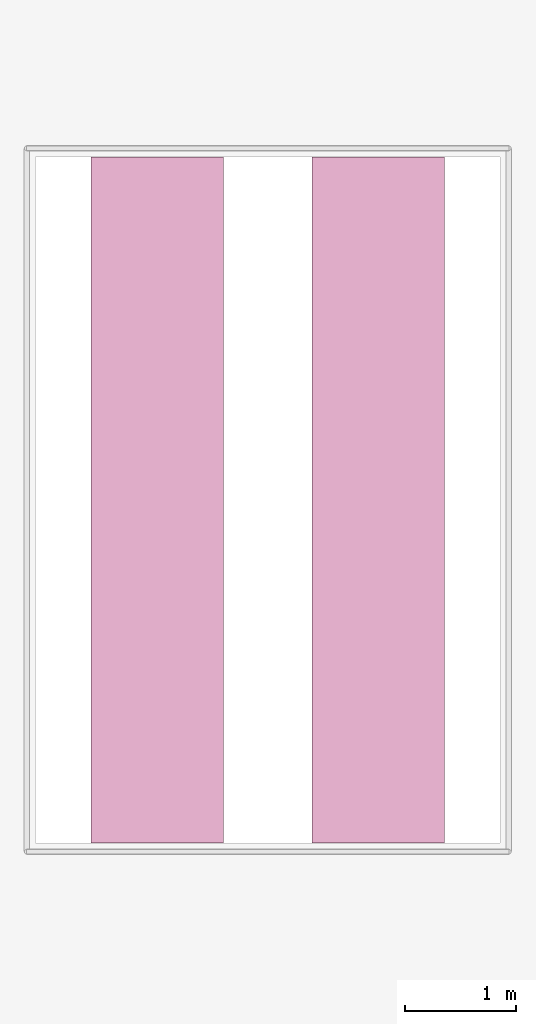
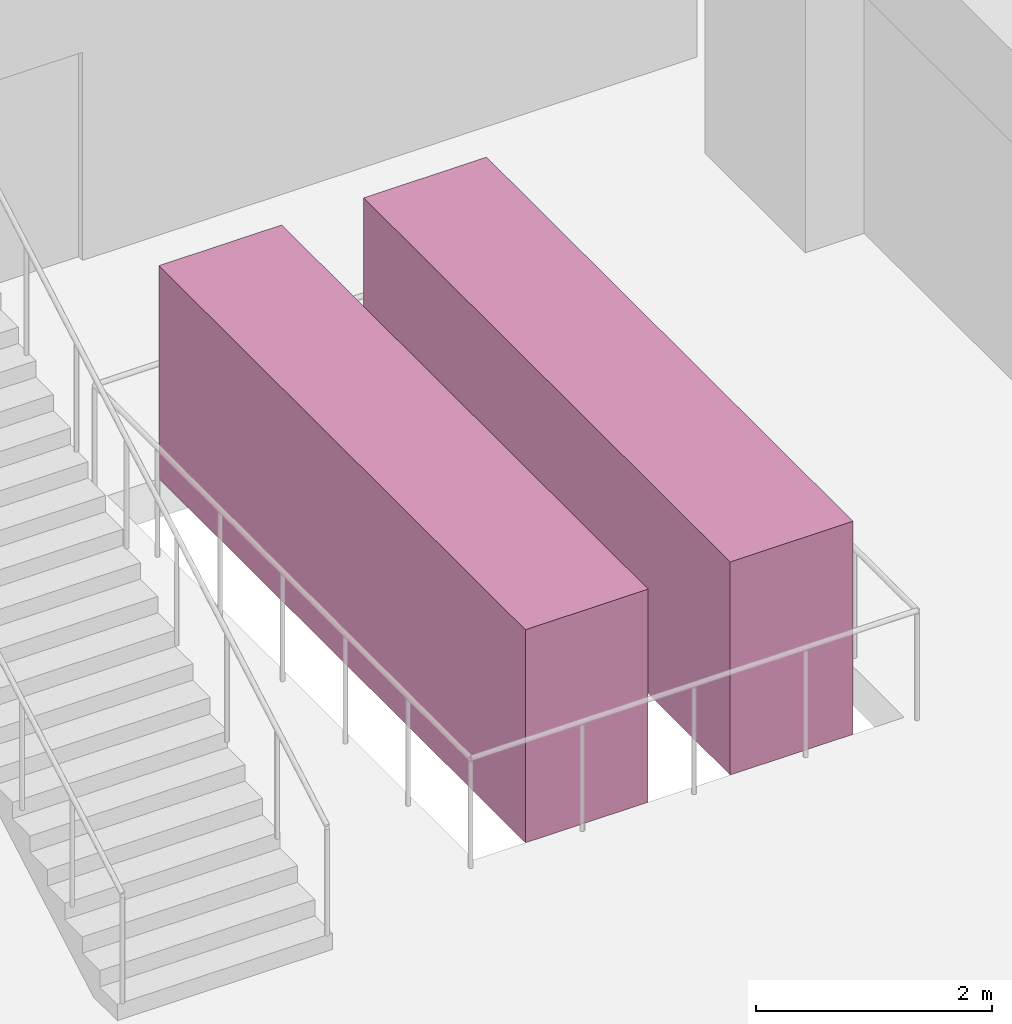
# One storey, part 11 of 11: 2 transport elements.
"""IFC4 building model written with IfcOpenShell, lengths in metres."""

import ifcopenshell
import ifcopenshell.guid

model = None  # the IFC model being written
_history = None  # IfcOwnerHistory: only IFC2X3 demands one
_inside = {}  # id of a spatial element -> (the spatial element, [elements in it])
_under = {}  # id of a project, library or spatial element -> (it, [spatial elements below it])
_declared = {}  # id of a project -> (the project, [libraries it declares])
_typed = {}  # id of a type object -> (the type object, [elements of that type])
_made_of = {}  # id of a material, layer set ... -> (it, [elements and type objects made of it])


def new_model(schema):
    """Start an empty IFC model of exactly this schema.

    Asked for "IFC4X3", IfcOpenShell would pick the latest addendum, in which some entities
    have other attributes; the version numbers below select the first issue.
    IFC2X3 requires an IfcOwnerHistory on every rooted entity: one is made here for all.
    """
    global model, _history
    if schema == "IFC4X3":
        model = ifcopenshell.file(schema_version=(4, 3, 0, 0))
    else:
        model = ifcopenshell.file(schema=schema)
    _inside.clear()
    _under.clear()
    _declared.clear()
    _typed.clear()
    _made_of.clear()
    _history = None
    if model.schema == "IFC2X3":
        org = make("IfcOrganization", Name="unknown")
        user = make(
            "IfcPersonAndOrganization",
            ThePerson=make("IfcPerson", FamilyName="unknown"),
            TheOrganization=org,
        )
        app = make(
            "IfcApplication",
            ApplicationDeveloper=org,
            Version="unknown",
            ApplicationFullName="unknown",
            ApplicationIdentifier="unknown",
        )
        _history = make(
            "IfcOwnerHistory",
            OwningUser=user,
            OwningApplication=app,
            ChangeAction="ADDED",
            CreationDate=0,
        )
    return model


def make(cls, **values):
    """One entity of the class cls with the attributes given. An attribute that is None is left unset."""
    return model.create_entity(
        cls, **{name: value for name, value in values.items() if value is not None}
    )


def rooted(cls, **values):
    """An entity with a GlobalId (a new one), such as an element, a storey or a relation."""
    return make(cls, GlobalId=ifcopenshell.guid.new(), OwnerHistory=_history, **values)


def si_unit(unit_type, name, prefix=None):
    """IfcSIUnit, for example si_unit("LENGTHUNIT", "METRE", prefix="MILLI")."""
    return make("IfcSIUnit", UnitType=unit_type, Prefix=prefix, Name=name)


def assignment(units):
    """IfcUnitAssignment: the units of a project."""
    return None if units is None else make("IfcUnitAssignment", Units=units)


def point(xyz):
    """IfcCartesianPoint."""
    return None if xyz is None else make("IfcCartesianPoint", Coordinates=xyz)


def direction(xyz):
    """IfcDirection."""
    return None if xyz is None else make("IfcDirection", DirectionRatios=xyz)


def frame(location, z_axis=None, x_axis=None):
    """IfcAxis2Placement3D, a coordinate frame: its origin and axes. An axis left out is left unset."""
    return make(
        "IfcAxis2Placement3D",
        Location=point(location),
        Axis=direction(z_axis),
        RefDirection=direction(x_axis),
    )


def frame_2d(location, x_axis=None):
    """IfcAxis2Placement2D, a coordinate frame in the plane: its origin and x axis."""
    return make(
        "IfcAxis2Placement2D", Location=point(location), RefDirection=direction(x_axis)
    )


def origin():
    """The frame at (0, 0, 0) with its axes left unset."""
    return frame((0.0, 0.0, 0.0))


def origin_2d():
    """The frame at (0, 0) in the plane with its x axis left unset."""
    return frame_2d((0.0, 0.0))


def place(relative_to, where):
    """IfcLocalPlacement: puts the frame where relative to a parent placement (None: the world)."""
    return make(
        "IfcLocalPlacement", PlacementRelTo=relative_to, RelativePlacement=where
    )


def context(
    kind, dimensions, precision=None, world=None, true_north=None, identifier=None
):
    """IfcGeometricRepresentationContext, for example the 3D "Model" context."""
    return make(
        "IfcGeometricRepresentationContext",
        ContextIdentifier=identifier,
        ContextType=kind,
        CoordinateSpaceDimension=dimensions,
        Precision=precision,
        WorldCoordinateSystem=world,
        TrueNorth=true_north,
    )


def subcontext(parent, identifier, kind, view, scale=None):
    """IfcGeometricRepresentationSubContext, for example "Body" below "Model"."""
    return make(
        "IfcGeometricRepresentationSubContext",
        ContextIdentifier=identifier,
        ContextType=kind,
        ParentContext=parent,
        TargetScale=scale,
        TargetView=view,
    )


def project(units=None, contexts=None):
    """IfcProject with its units and contexts."""
    return rooted(
        "IfcProject",
        Name="project",
        RepresentationContexts=contexts,
        UnitsInContext=assignment(units),
    )


def spatial(cls, under=None, at=None, **own):
    """A site, building, storey or space (cls), placed at a placement, below another one or the project."""
    s = rooted(cls, ObjectPlacement=at, **own)
    if under is not None:
        _under.setdefault(under.id(), (under, []))[1].append(s)
    return s


def profile(cls, at=None, kind="AREA", **sizes):
    """A parametric profile (cls). Its sizes go by their IFC names, for example OverallWidth=200.0."""
    return make(cls, ProfileType=kind, Position=at, **sizes)


def rectangle(**sizes):
    """IfcRectangleProfileDef."""
    return profile("IfcRectangleProfileDef", **sizes)


def extrude(swept, where, along, depth):
    """IfcExtrudedAreaSolid: the profile swept, set in the frame where, extruded along a direction by depth."""
    return make(
        "IfcExtrudedAreaSolid",
        SweptArea=swept,
        Position=where,
        ExtrudedDirection=direction(along),
        Depth=depth,
    )


def shape(context_of_items, identifier, shape_type, items):
    """IfcShapeRepresentation: the items that make up one representation, for example the "Body"."""
    return make(
        "IfcShapeRepresentation",
        ContextOfItems=context_of_items,
        RepresentationIdentifier=identifier,
        RepresentationType=shape_type,
        Items=items,
    )


def material(Name=None, Category=None):
    """IfcMaterial."""
    return make("IfcMaterial", Name=Name, Category=Category)


def made_of(thing, what):
    """Note that an element or type object is made of a material, layer set ...; save() writes the relation."""
    if what is not None:
        _made_of.setdefault(what.id(), (what, []))[1].append(thing)
    return thing


def type_object(cls, material=None, **own):
    """A type object (cls), such as IfcWallType, which elements share."""
    return made_of(rooted(cls, **own), material)


def element(
    cls,
    number,
    at=None,
    inside=None,
    cuts=None,
    type_object=None,
    material=None,
    context=None,
    identifier="Body",
    shape_type=None,
    held_by="IfcProductDefinitionShape",
    body=None,
    shapes=None,
    **own,
):
    """One element of the class cls, such as IfcWall. Its Tag is "e" and its number.

    at: its placement. inside: the storey or other place that contains it. cuts: it is an
    opening in that element (IfcRelVoidsElement). A single representation is given by context,
    identifier, shape_type and body (its items); several are given by shapes. held_by: the class
    of the entity that holds the representations. save() writes the other relations.
    """
    e = rooted(cls, Tag="e%d" % number, ObjectPlacement=at, **own)
    if body is not None:
        shapes = [shape(context, identifier, shape_type, body)]
    if shapes is not None:
        e.Representation = make(held_by, Representations=shapes)
    if inside is not None:
        _inside.setdefault(inside.id(), (inside, []))[1].append(e)
    if cuts is not None:
        rooted(
            "IfcRelVoidsElement", RelatingBuildingElement=cuts, RelatedOpeningElement=e
        )
    if type_object is not None:
        _typed.setdefault(type_object.id(), (type_object, []))[1].append(e)
    return made_of(e, material)


def aggregate(whole, parts):
    """IfcRelAggregates: a whole, such as a stair, and the parts it consists of."""
    return rooted("IfcRelAggregates", RelatingObject=whole, RelatedObjects=parts)


def save(model, path):
    """Write the relations noted so far, then the file.

    IfcRelAggregates (storeys below a building ...), IfcRelContainedInSpatialStructure (elements
    in a storey), IfcRelDefinesByType, IfcRelAssociatesMaterial and IfcRelDeclares: one each for
    every whole, place, type object, material and project.
    """
    for whole, parts in _under.values():
        aggregate(whole, parts)
    for where, things in _inside.values():
        rooted(
            "IfcRelContainedInSpatialStructure",
            RelatedElements=things,
            RelatingStructure=where,
        )
    for kind, things in _typed.values():
        rooted("IfcRelDefinesByType", RelatedObjects=things, RelatingType=kind)
    for what, things in _made_of.values():
        rooted("IfcRelAssociatesMaterial", RelatedObjects=things, RelatingMaterial=what)
    for by, libraries in _declared.values():
        rooted("IfcRelDeclares", RelatingContext=by, RelatedDefinitions=libraries)
    model.write(path)


model = new_model("IFC4")

# Units and contexts
model_context = context("Model", 3, precision=1e-05, world=origin(), true_north=direction((0.0, 1.0)))
body_context = subcontext(model_context, "Body", "Model", "MODEL_VIEW")
ifc_project = project(units=[si_unit("LENGTHUNIT", "METRE"), si_unit("AREAUNIT", "SQUARE_METRE"), si_unit("VOLUMEUNIT", "CUBIC_METRE"), si_unit("PLANEANGLEUNIT", "RADIAN"), si_unit("MASSUNIT", "GRAM", prefix="KILO")], contexts=[model_context])

# Site, building, storey
site_placement = place(None, origin())
site = spatial("IfcSite", under=ifc_project, at=site_placement, CompositionType="ELEMENT")
building_placement = place(site_placement, origin())
building = spatial("IfcBuilding", under=site, at=building_placement, Name="Sulina Concourse Tower", CompositionType="ELEMENT")
storey_placement = place(building_placement, frame((0.0, 0.0, 9.449951171875)))
storey = spatial("IfcBuildingStorey", under=building, at=storey_placement, Name="L02", CompositionType="ELEMENT", Elevation=9.449951171875)

# Transport elements
ifc_material = material(Name="Stainless steel escalator", Category="steel")
transport_element_type = type_object("IfcTransportElementType", Name="Station Concourse Heavy-Duty Transit Escalator", PredefinedType="ESCALATOR", material=ifc_material)
for number, where, z_axis, x_axis, name in (
    (1, (35.10009765625, 13.89990234375, 0.0), (0.0, 0.0, 1.0), (1.0, 0.0, 0.0), "L02 station concourse escalator 05"),
    (2, (37.10009765625, 13.89990234375, 0.0), (0.0, 0.0, 1.0), (1.0, 0.0, 0.0), "L02 station concourse escalator 06"),
):
    element("IfcTransportElement", number, at=place(storey_placement, frame(where, z_axis=z_axis, x_axis=x_axis)), inside=storey, type_object=transport_element_type, Name=name, PredefinedType="ESCALATOR", context=body_context, shape_type="SweptSolid", body=[
        extrude(rectangle(XDim=1.199951171875, YDim=6.199951171875, at=origin_2d()), origin(), (0.0, 0.0, 1.0), 2.199951171875),
    ])

save(model, "model.ifc")
